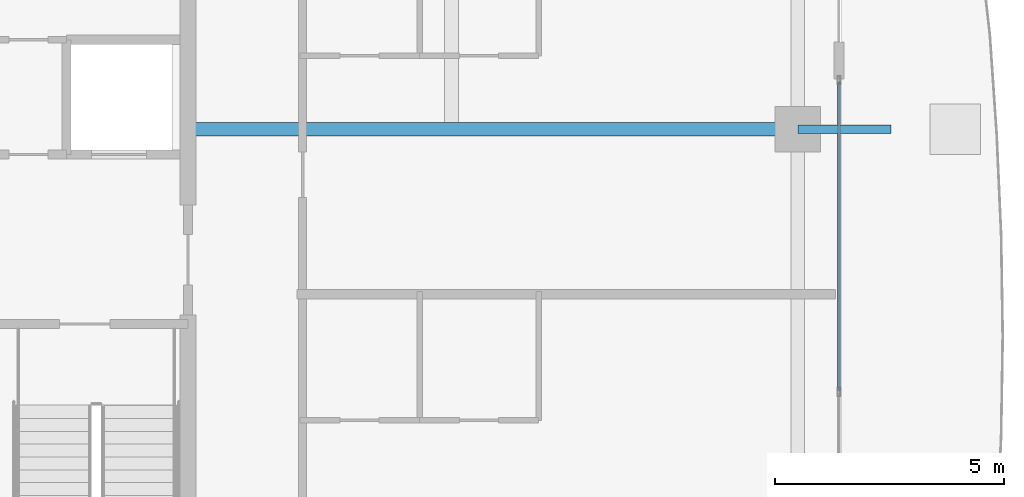
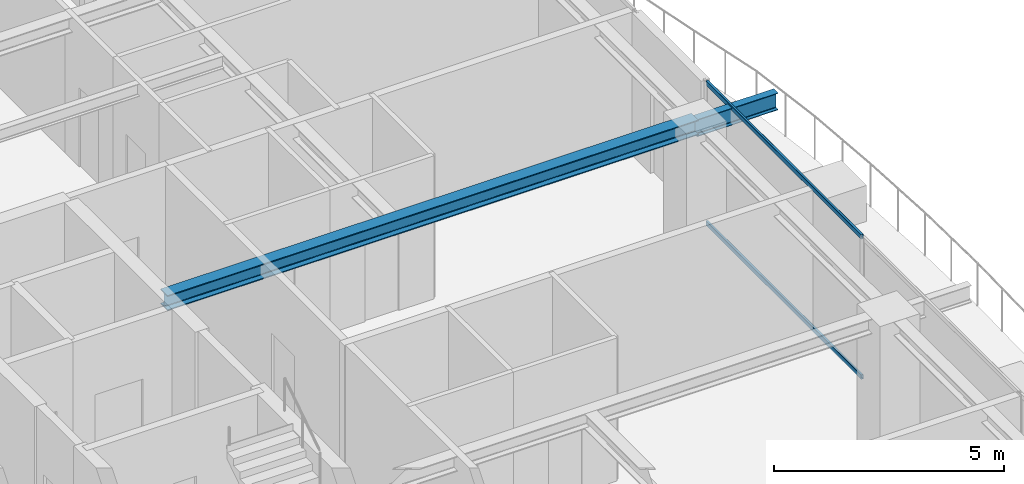
# One storey, part 17 of 40: 2 beams, 2 members, 1 element without a shape of its own.
"""IFC4 building model written with IfcOpenShell, lengths in metres."""

from ifc_helpers import new_model, si_unit, direction, frame, origin, origin_2d, place, context, subcontext, project, spatial, hollow_rectangle, i_section, extrude, source, transform, mapped, material, layer, layer_set, material_profile, profile_set, type_object, element, aggregate, save


model = new_model("IFC4")

# Units and contexts
model_context = context("Model", 3, precision=1e-05, world=origin(), true_north=direction((0.0, 1.0)))
body_context = subcontext(model_context, "Body", "Model", "MODEL_VIEW")
ifc_project = project(units=[si_unit("LENGTHUNIT", "METRE"), si_unit("AREAUNIT", "SQUARE_METRE"), si_unit("VOLUMEUNIT", "CUBIC_METRE"), si_unit("PLANEANGLEUNIT", "RADIAN"), si_unit("MASSUNIT", "GRAM", prefix="KILO")], contexts=[model_context])

# Site, building, storey
site_placement = place(None, origin())
site = spatial("IfcSite", under=ifc_project, at=site_placement, CompositionType="ELEMENT")
building_placement = place(site_placement, origin())
building = spatial("IfcBuilding", under=site, at=building_placement, Name="Serunith Strait Residences", CompositionType="ELEMENT")
storey_placement = place(building_placement, frame((0.0, 0.0, 313.699951171875)))
storey = spatial("IfcBuildingStorey", under=building, at=storey_placement, Name="L78", CompositionType="ELEMENT", Elevation=313.699951171875)

# Beams
ifc_material_1 = material(Name="Steel S355J2", Category="steel")
ifc_material_profile_1 = material_profile(ifc_material_1, i_section(OverallWidth=0.300048828125, OverallDepth=0.39990234375, WebThickness=0.013427734375, FlangeThickness=0.02392578125, FilletRadius=0.027099609375, at=origin_2d()), Name="HEB 400")
ifc_profile_set_1 = profile_set([ifc_material_profile_1], Name="Steel S355J2")
beam_type_1 = type_object("IfcBeamType", Name="BM-HEB400", PredefinedType="BEAM", material=ifc_profile_set_1)
shared_shape_1 = source(origin(), body_context, "Body", "SweptSolid", [
    extrude(i_section(OverallWidth=0.300048828125, OverallDepth=0.39990234375, WebThickness=0.013427734375, FlangeThickness=0.02392578125, FilletRadius=0.027099609375, at=origin_2d()), origin(), (0.0, 0.0, 1.0), 13.300048828125),
])
beam_1_placement = place(storey_placement, frame((41.39990234375, 29.39990234375, 3.587158203125), z_axis=(1.0, 0.0, 0.0), x_axis=(0.0, 1.0, 0.0)))
element("IfcBeam", 1, at=beam_1_placement, inside=storey, type_object=beam_type_1, Name="L78 Primary Floor Girder TC-E3", PredefinedType="BEAM", context=body_context, shape_type="MappedRepresentation", body=[
    mapped(shared_shape_1, transform((0.0, 0.0, 0.0), scale=1.0)),
])
ifc_material_profile_2 = material_profile(ifc_material_1, i_section(OverallWidth=0.18994140625, OverallDepth=0.449951171875, WebThickness=0.009521484375, FlangeThickness=0.0146484375, FilletRadius=0.02099609375, at=origin_2d()), Name="IPE 450")
ifc_profile_set_2 = profile_set([ifc_material_profile_2], Name="Steel S355J2")
beam_type_2 = type_object("IfcBeamType", Name="BM-IPE450", PredefinedType="JOIST", material=ifc_profile_set_2)
shared_shape_2 = source(origin(), body_context, "Body", "SweptSolid", [
    extrude(i_section(OverallWidth=0.18994140625, OverallDepth=0.449951171875, WebThickness=0.009521484375, FlangeThickness=0.0146484375, FilletRadius=0.02099609375, at=origin_2d()), origin(), (0.0, 0.0, 1.0), 2.030029296875),
])
beam_2_placement = place(storey_placement, frame((54.699951171875, 29.39990234375, 3.531982421875), z_axis=(1.0, 0.0, 0.0), x_axis=(0.0, 1.0, 0.0)))
element("IfcBeam", 2, at=beam_2_placement, inside=storey, type_object=beam_type_2, Name="L79 Cantilevered Balcony Rib TC-E3", PredefinedType="JOIST", context=body_context, shape_type="MappedRepresentation", body=[
    mapped(shared_shape_2, transform((0.0, 0.0, 0.0), scale=1.0)),
])

# Curtain wall, members
ifc_material_2 = material(Name="Brushed Stainless-Silver Aluminium", Category="aluminium")
ifc_layer = layer(ifc_material_2, 0.199951171875, Name="Brushed Stainless-Silver Aluminium")
ifc_layer_set = layer_set([ifc_layer], Name="Brushed Stainless-Silver Aluminium")
curtain_wall_type = type_object("IfcCurtainWallType", Name="CW-SYS5", PredefinedType="NOTDEFINED", material=ifc_layer_set)
curtain_wall_placement = place(storey_placement, origin())
curtain_wall = element("IfcCurtainWall", 3, at=curtain_wall_placement, inside=storey, type_object=curtain_wall_type, Name="L78 E Unitised Fritted Curtain Wall", PredefinedType="NOTDEFINED")
ifc_material_profile_3 = material_profile(ifc_material_2, hollow_rectangle(XDim=0.06005859375, YDim=0.1201171875, WallThickness=0.00341796875, InnerFilletRadius=0.00537109375, OuterFilletRadius=0.0087890625, at=origin_2d()), Name="ALU 120x60x3.5")
ifc_profile_set_3 = profile_set([ifc_material_profile_3], Name="Brushed Stainless-Silver Aluminium")
member_type = type_object("IfcMemberType", Name="CW-SYS5-TRAN", PredefinedType="USERDEFINED", material=ifc_profile_set_3)
shared_shape_3 = source(origin(), body_context, "Body", "SweptSolid", [
    extrude(hollow_rectangle(XDim=0.06005859375, YDim=0.1201171875, WallThickness=0.00341796875, InnerFilletRadius=0.00537109375, OuterFilletRadius=0.0087890625, at=origin_2d()), origin(), (0.0, 0.0, 1.0), 6.73583984375),
])
member_1_placement = place(storey_placement, frame((55.60009765625, 23.69921875, 0.030029296875), z_axis=(0.0, 1.0, 0.0), x_axis=(-1.0, 0.0, 0.0)))
member_1 = element("IfcMember", 4, at=member_1_placement, type_object=member_type, Name="CW-5 transom 3.1", ObjectType="TRANSOM", PredefinedType="USERDEFINED", context=body_context, shape_type="MappedRepresentation", body=[
    mapped(shared_shape_3, transform((0.0, 0.0, 0.0), scale=1.0)),
])
member_2_placement = place(storey_placement, frame((55.60009765625, 23.69921875, 3.7451171875), z_axis=(0.0, 1.0, 0.0), x_axis=(-1.0, 0.0, 0.0)))
member_2 = element("IfcMember", 5, at=member_2_placement, type_object=member_type, Name="CW-5 transom 3.2", ObjectType="TRANSOM", PredefinedType="USERDEFINED", context=body_context, shape_type="MappedRepresentation", body=[
    mapped(shared_shape_3, transform((0.0, 0.0, 0.0), scale=1.0)),
])
aggregate(curtain_wall, [member_1, member_2])

save(model, "model.ifc")
